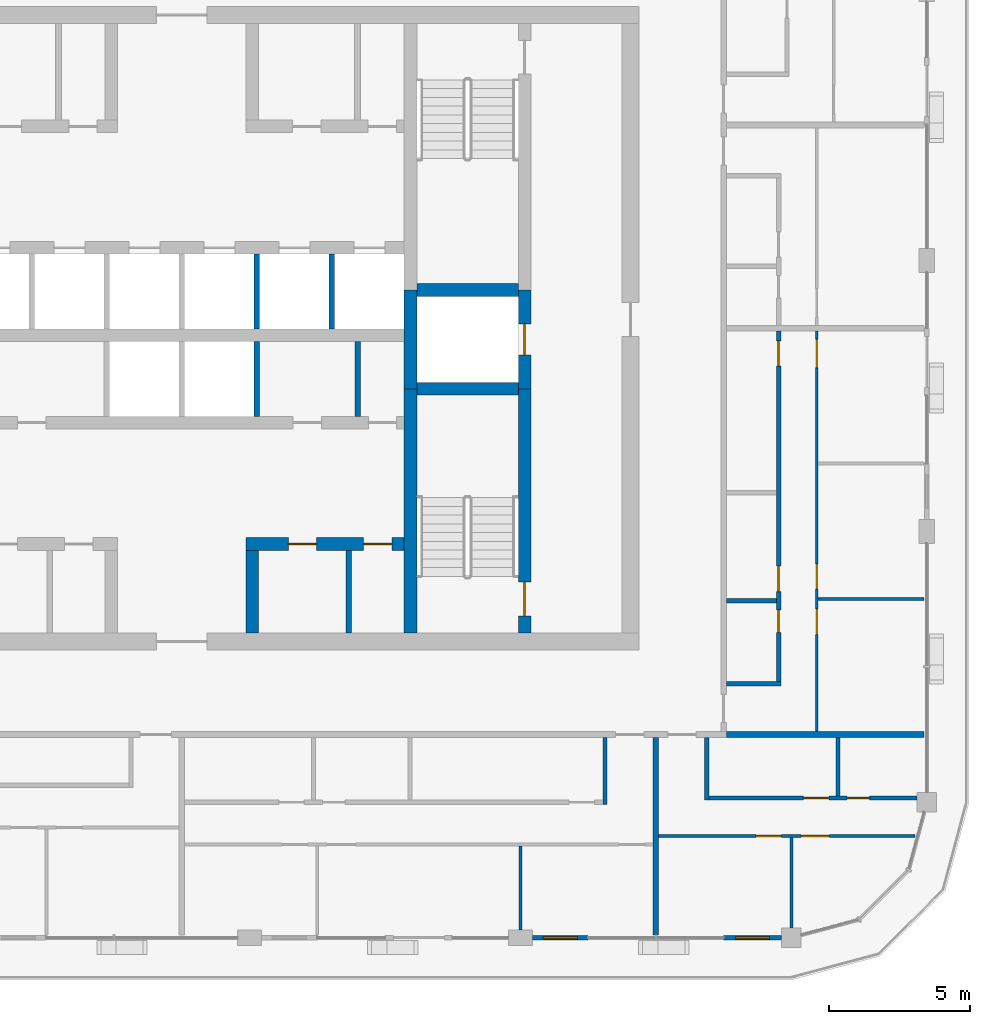
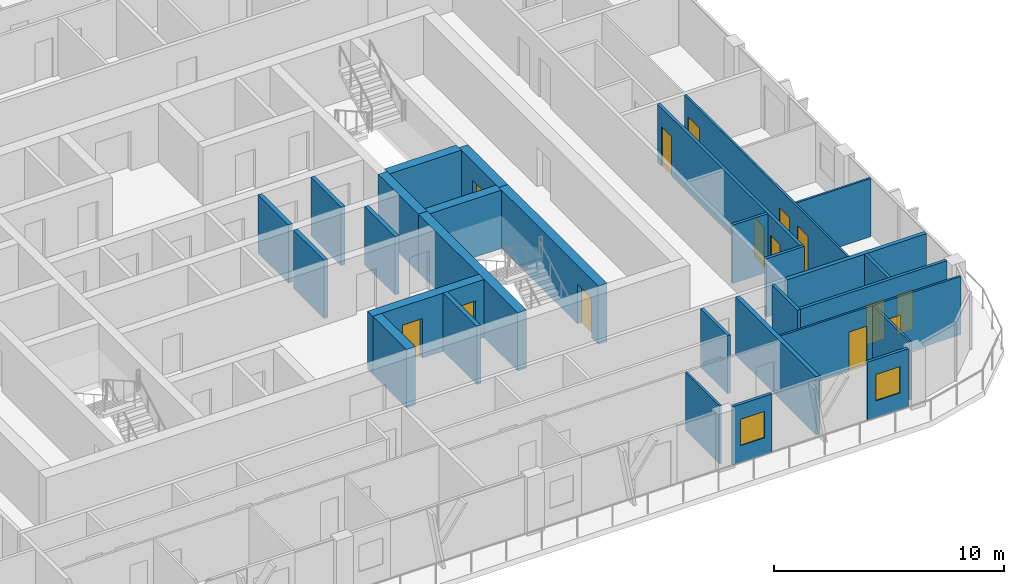
# One storey, part 12 of 22: 29 walls, 14 doors, 2 windows, 16 openings.
"""IFC4 building model written with IfcOpenShell, lengths in metres."""

from ifc_helpers import new_model, si_unit, direction, frame, frame_2d, origin, place, context, subcontext, project, spatial, rectangle, extrude, material, layer, layer_set, type_object, element, fill, save


model = new_model("IFC4")

# Units and contexts
model_context = context("Model", 3, precision=1e-05, world=origin(), true_north=direction((0.0, 1.0)))
body_context = subcontext(model_context, "Body", "Model", "MODEL_VIEW")
ifc_project = project(units=[si_unit("LENGTHUNIT", "METRE"), si_unit("AREAUNIT", "SQUARE_METRE"), si_unit("VOLUMEUNIT", "CUBIC_METRE"), si_unit("PLANEANGLEUNIT", "RADIAN"), si_unit("MASSUNIT", "GRAM", prefix="KILO")], contexts=[model_context])

# Site, building, storey
site_placement = place(None, origin())
site = spatial("IfcSite", under=ifc_project, at=site_placement, CompositionType="ELEMENT")
building_placement = place(site_placement, origin())
building = spatial("IfcBuilding", under=site, at=building_placement, Name="Madar Terraces", CompositionType="ELEMENT")
storey_placement = place(building_placement, frame((0.0, 0.0, 259.699951171875)))
storey = spatial("IfcBuildingStorey", under=building, at=storey_placement, Name="L68", CompositionType="ELEMENT", Elevation=259.699951171875)

# Walls
ifc_material_1 = material(Name="Concrete C55/67", Category="concrete")
ifc_layer_1 = layer(ifc_material_1, 0.449951171875)
ifc_layer_set_1 = layer_set([ifc_layer_1], Name="Concrete C55/67 (CIW5 RC wall 450)")
wall_type_1 = type_object("IfcWallType", Name="CIW5 RC wall 450", PredefinedType="SHEAR", material=ifc_layer_set_1)
wall_1_placement = place(storey_placement, frame((39.300048828125, 15.60009765625, 0.0), z_axis=(0.0, 0.0, 1.0), x_axis=(0.0, 1.0, 0.0)))
element("IfcWall", 1, at=wall_1_placement, inside=storey, type_object=wall_type_1, Name="CORE SHAFT WALL", PredefinedType="SHEAR", context=body_context, shape_type="SweptSolid", body=[
    extrude(rectangle(XDim=8.64990234375, YDim=0.449951171875, at=frame_2d((4.324951171875, 0.0))), origin(), (0.0, 0.0, 1.0), 3.10009765625),
])
wall_2_placement = place(storey_placement, frame((39.300048828125, 24.25, 0.0), z_axis=(0.0, 0.0, 1.0), x_axis=(0.0, 1.0, 0.0)))
element("IfcWall", 2, at=wall_2_placement, inside=storey, type_object=wall_type_1, Name="CORE SHAFT WALL", PredefinedType="SHEAR", context=body_context, shape_type="SweptSolid", body=[
    extrude(rectangle(XDim=3.5, YDim=0.449951171875, at=frame_2d((1.75, 0.0))), origin(), (0.0, 0.0, 1.0), 3.10009765625),
])

# Wall, opening, door
wall_3_placement = place(storey_placement, frame((43.35009765625, 15.60009765625, 0.0), z_axis=(0.0, 0.0, 1.0), x_axis=(0.0, 1.0, 0.0)))
wall_3 = element("IfcWall", 3, at=wall_3_placement, inside=storey, type_object=wall_type_1, Name="CORE SHAFT WALL", PredefinedType="SHEAR", context=body_context, shape_type="SweptSolid", body=[
    extrude(rectangle(XDim=8.64990234375, YDim=0.449951171875, at=frame_2d((4.324951171875, 0.0))), origin(), (0.0, 0.0, 1.0), 3.10009765625),
])
opening_1_placement = place(wall_3_placement, frame((0.60009765625, 0.0, 0.0)))
opening_1 = element("IfcOpeningElement", 4, at=opening_1_placement, cuts=wall_3, Name="Opening SD1", PredefinedType="OPENING", context=body_context, shape_type="SweptSolid", body=[
    extrude(rectangle(XDim=1.199951171875, YDim=2.10009765625, at=frame_2d((0.60009765625, 1.050048828125))), frame((0.0, 0.23486328125, 0.0), z_axis=(0.0, -1.0, 0.0), x_axis=(1.0, 0.0, 0.0)), (0.0, 0.0, 1.0), 0.469970703125),
])
ifc_material_2 = material(Name="Steel door leaf", Category="steel")
door_type_1 = type_object("IfcDoorType", Name="Stair door 1200 x 2100", OperationType="NOTDEFINED", PredefinedType="DOOR", material=ifc_material_2)
door_1_placement = place(opening_1_placement, origin())
door_1 = element("IfcDoor", 5, at=door_1_placement, inside=storey, type_object=door_type_1, Name="STAIR DOOR", OperationType="SINGLE_SWING_LEFT", OverallHeight=2.10009765625, OverallWidth=1.199951171875, PredefinedType="DOOR", context=body_context, shape_type="SweptSolid", body=[
    extrude(rectangle(XDim=1.199951171875, YDim=2.10009765625, at=frame_2d((0.60009765625, 1.050048828125))), frame((0.0, 0.02490234375, 0.0), z_axis=(0.0, -1.0, 0.0), x_axis=(1.0, 0.0, 0.0)), (0.0, 0.0, 1.0), 0.050048828125),
])
fill(opening_1, door_1)

wall_4_placement = place(storey_placement, frame((43.35009765625, 24.25, 0.0), z_axis=(0.0, 0.0, 1.0), x_axis=(0.0, 1.0, 0.0)))
wall_4 = element("IfcWall", 6, at=wall_4_placement, inside=storey, type_object=wall_type_1, Name="CORE SHAFT WALL", PredefinedType="SHEAR", context=body_context, shape_type="SweptSolid", body=[
    extrude(rectangle(XDim=3.5, YDim=0.449951171875, at=frame_2d((1.75, 0.0))), origin(), (0.0, 0.0, 1.0), 3.10009765625),
])
opening_2_placement = place(wall_4_placement, frame((1.199951171875, 0.0, 0.0)))
opening_2 = element("IfcOpeningElement", 7, at=opening_2_placement, cuts=wall_4, Name="Opening LD", PredefinedType="OPENING", context=body_context, shape_type="SweptSolid", body=[
    extrude(rectangle(XDim=1.10009765625, YDim=2.10009765625, at=frame_2d((0.550048828125, 1.050048828125))), frame((0.0, 0.23486328125, 0.0), z_axis=(0.0, -1.0, 0.0), x_axis=(1.0, 0.0, 0.0)), (0.0, 0.0, 1.0), 0.469970703125),
])
ifc_material_3 = material(Name="Stainless steel panel", Category="steel")
door_type_2 = type_object("IfcDoorType", Name="Lift landing door 1100 x 2100", OperationType="DOUBLE_DOOR_SLIDING", PredefinedType="DOOR", material=ifc_material_3)
door_2_placement = place(opening_2_placement, origin())
door_2 = element("IfcDoor", 8, at=door_2_placement, inside=storey, type_object=door_type_2, Name="LIFT LANDING DOOR", OperationType="DOUBLE_DOOR_SLIDING", OverallHeight=2.10009765625, OverallWidth=1.10009765625, PredefinedType="DOOR", context=body_context, shape_type="SweptSolid", body=[
    extrude(rectangle(XDim=1.10009765625, YDim=2.10009765625, at=frame_2d((0.550048828125, 1.050048828125))), frame((0.0, 0.02490234375, 0.0), z_axis=(0.0, -1.0, 0.0), x_axis=(1.0, 0.0, 0.0)), (0.0, 0.0, 1.0), 0.050048828125),
])
fill(opening_2, door_2)

# Walls
for number, where, z_axis, x_axis, name in (
    (9, (39.52490234375, 24.25, 0.0), (0.0, 0.0, 1.0), (1.0, 0.0, 0.0), "CORE SHAFT WALL"),
    (10, (39.52490234375, 27.75, 0.0), (0.0, 0.0, 1.0), (1.0, 0.0, 0.0), "CORE SHAFT WALL"),
):
    element("IfcWall", number, at=place(storey_placement, frame(where, z_axis=z_axis, x_axis=x_axis)), inside=storey, type_object=wall_type_1, Name=name, PredefinedType="SHEAR", context=body_context, shape_type="SweptSolid", body=[
        extrude(rectangle(XDim=3.60009765625, YDim=0.449951171875, at=frame_2d((1.800048828125, 0.0))), origin(), (0.0, 0.0, 1.0), 3.10009765625),
    ])

# Wall, openings, doors
wall_5_placement = place(storey_placement, frame((33.47509765625, 18.75, 0.0), z_axis=(0.0, 0.0, 1.0), x_axis=(1.0, 0.0, 0.0)))
wall_5 = element("IfcWall", 11, at=wall_5_placement, inside=storey, type_object=wall_type_1, Name="CORE SHAFT WALL", PredefinedType="SHEAR", context=body_context, shape_type="SweptSolid", body=[
    extrude(rectangle(XDim=5.599853515625, YDim=0.449951171875, at=frame_2d((2.7998046875, 0.0))), origin(), (0.0, 0.0, 1.0), 3.10009765625),
])
opening_3_placement = place(wall_5_placement, frame((1.49658203125, 0.0, 0.0)))
opening_3 = element("IfcOpeningElement", 12, at=opening_3_placement, cuts=wall_5, Name="Opening KD2", PredefinedType="OPENING", context=body_context, shape_type="SweptSolid", body=[
    extrude(rectangle(XDim=1.0, YDim=2.10009765625, at=frame_2d((0.5, 1.050048828125))), frame((0.0, 0.23486328125, 0.0), z_axis=(0.0, -1.0, 0.0), x_axis=(1.0, 0.0, 0.0)), (0.0, 0.0, 1.0), 0.469970703125),
])
opening_4_placement = place(wall_5_placement, frame((4.17138671875, 0.0, 0.0)))
opening_4 = element("IfcOpeningElement", 13, at=opening_4_placement, cuts=wall_5, Name="Opening KD2", PredefinedType="OPENING", context=body_context, shape_type="SweptSolid", body=[
    extrude(rectangle(XDim=1.0, YDim=2.10009765625, at=frame_2d((0.5, 1.050048828125))), frame((0.0, 0.23486328125, 0.0), z_axis=(0.0, -1.0, 0.0), x_axis=(1.0, 0.0, 0.0)), (0.0, 0.0, 1.0), 0.469970703125),
])
ifc_material_4 = material(Name="Steel door leaf", Category="steel")
door_type_3 = type_object("IfcDoorType", Name="Service room door 1000 x 2100", OperationType="NOTDEFINED", PredefinedType="DOOR", material=ifc_material_4)
door_3_placement = place(opening_3_placement, origin())
door_3 = element("IfcDoor", 14, at=door_3_placement, inside=storey, type_object=door_type_3, Name="SERVICE ROOM DOOR", OperationType="SINGLE_SWING_RIGHT", OverallHeight=2.10009765625, OverallWidth=1.0, PredefinedType="DOOR", context=body_context, shape_type="SweptSolid", body=[
    extrude(rectangle(XDim=1.0, YDim=2.10009765625, at=frame_2d((0.5, 1.050048828125))), frame((0.0, 0.02490234375, 0.0), z_axis=(0.0, -1.0, 0.0), x_axis=(1.0, 0.0, 0.0)), (0.0, 0.0, 1.0), 0.050048828125),
])
fill(opening_3, door_3)
door_4_placement = place(opening_4_placement, origin())
door_4 = element("IfcDoor", 15, at=door_4_placement, inside=storey, type_object=door_type_3, Name="SERVICE ROOM DOOR", OperationType="SINGLE_SWING_LEFT", OverallHeight=2.10009765625, OverallWidth=1.0, PredefinedType="DOOR", context=body_context, shape_type="SweptSolid", body=[
    extrude(rectangle(XDim=1.0, YDim=2.10009765625, at=frame_2d((0.5, 1.050048828125))), frame((0.0, 0.02490234375, 0.0), z_axis=(0.0, -1.0, 0.0), x_axis=(1.0, 0.0, 0.0)), (0.0, 0.0, 1.0), 0.050048828125),
])
fill(opening_4, door_4)

# Walls
wall_6_placement = place(storey_placement, frame((33.699951171875, 15.60009765625, 0.0), z_axis=(0.0, 0.0, 1.0), x_axis=(0.0, 1.0, 0.0)))
element("IfcWall", 16, at=wall_6_placement, inside=storey, type_object=wall_type_1, Name="CORE SHAFT WALL", PredefinedType="SHEAR", context=body_context, shape_type="SweptSolid", body=[
    extrude(rectangle(XDim=2.9248046875, YDim=0.449951171875, at=frame_2d((1.46240234375, 0.0))), origin(), (0.0, 0.0, 1.0), 3.10009765625),
])
ifc_material_5 = material(Name="Masonry blockwork", Category="masonry")
ifc_layer_2 = layer(ifc_material_5, 0.199951171875)
ifc_layer_set_2 = layer_set([ifc_layer_2], Name="Core partition 200 blockwork")
wall_type_2 = type_object("IfcWallType", Name="Core partition 200 blockwork", PredefinedType="PARTITIONING", material=ifc_layer_set_2)
wall_7_placement = place(storey_placement, frame((37.437744140625, 23.27490234375, 0.0), z_axis=(0.0, 0.0, 1.0), x_axis=(0.0, 1.0, 0.0)))
element("IfcWall", 17, at=wall_7_placement, inside=storey, type_object=wall_type_2, Name="SERVICE ROOM PARTITION", PredefinedType="PARTITIONING", context=body_context, shape_type="SweptSolid", body=[
    extrude(rectangle(XDim=2.650146484375, YDim=0.199951171875, at=frame_2d((1.3251953125, 0.0))), origin(), (0.0, 0.0, 1.0), 3.10009765625),
])
wall_8_placement = place(storey_placement, frame((37.117919921875, 15.60009765625, 0.0), z_axis=(0.0, 0.0, 1.0), x_axis=(0.0, 1.0, 0.0)))
element("IfcWall", 18, at=wall_8_placement, inside=storey, type_object=wall_type_2, Name="SERVICE ROOM PARTITION", PredefinedType="PARTITIONING", context=body_context, shape_type="SweptSolid", body=[
    extrude(rectangle(XDim=2.9248046875, YDim=0.199951171875, at=frame_2d((1.46240234375, 0.0))), origin(), (0.0, 0.0, 1.0), 3.10009765625),
])
ifc_material_6 = material(Name="Concrete C40/50", Category="concrete")
ifc_layer_3 = layer(ifc_material_6, 0.199951171875)
ifc_layer_set_3 = layer_set([ifc_layer_3], Name="Core shaft dividing wall 200 C40/50")
wall_type_3 = type_object("IfcWallType", Name="Core shaft dividing wall 200 C40/50", PredefinedType="SOLIDWALL", material=ifc_layer_set_3)
wall_9_placement = place(storey_placement, frame((33.8583984375, 23.27490234375, 0.0), z_axis=(0.0, 0.0, 1.0), x_axis=(0.0, 1.0, 0.0)))
element("IfcWall", 19, at=wall_9_placement, inside=storey, type_object=wall_type_3, Name="SHAFT DIVIDING WALL", PredefinedType="SOLIDWALL", context=body_context, shape_type="SweptSolid", body=[
    extrude(rectangle(XDim=2.650146484375, YDim=0.199951171875, at=frame_2d((1.3251953125, 0.0))), origin(), (0.0, 0.0, 1.0), 3.10009765625),
])
for number, where, z_axis, x_axis, name in (
    (20, (33.8583984375, 26.375, 0.0), (0.0, 0.0, 1.0), (0.0, 1.0, 0.0), "SHAFT DIVIDING WALL"),
    (21, (36.5166015625, 26.375, 0.0), (0.0, 0.0, 1.0), (0.0, 1.0, 0.0), "SHAFT DIVIDING WALL"),
):
    element("IfcWall", number, at=place(storey_placement, frame(where, z_axis=z_axis, x_axis=x_axis)), inside=storey, type_object=wall_type_3, Name=name, PredefinedType="SOLIDWALL", context=body_context, shape_type="SweptSolid", body=[
        extrude(rectangle(XDim=2.64990234375, YDim=0.199951171875, at=frame_2d((1.324951171875, 0.0))), origin(), (0.0, 0.0, 1.0), 3.10009765625),
    ])

# Wall, opening, window
ifc_material_7 = material(Name="Aluminium composite panel, black, over insulated backing", Category="aluminium")
ifc_layer_4 = layer(ifc_material_7, 0.14990234375)
ifc_layer_set_4 = layer_set([ifc_layer_4], Name="Facade bay panel 150")
wall_type_4 = type_object("IfcWallType", Name="Facade bay panel 150", PredefinedType="SOLIDWALL", material=ifc_layer_set_4)
wall_10_placement = place(storey_placement, frame((43.625, 4.800048828125, 0.0), z_axis=(0.0, 0.0, 1.0), x_axis=(1.0, 0.0, 0.0)))
wall_10 = element("IfcWall", 22, at=wall_10_placement, inside=storey, type_object=wall_type_4, Name="Facade bay panel", PredefinedType="SOLIDWALL", context=body_context, shape_type="SweptSolid", body=[
    extrude(rectangle(XDim=1.97509765625, YDim=0.14990234375, at=frame_2d((0.987548828125, 0.0))), origin(), (0.0, 0.0, 1.0), 3.10009765625),
])
opening_5_placement = place(wall_10_placement, frame((0.387451171875, 0.0, 0.89990234375)))
opening_5 = element("IfcOpeningElement", 23, at=opening_5_placement, cuts=wall_10, Name="Opening W1", PredefinedType="OPENING", context=body_context, shape_type="SweptSolid", body=[
    extrude(rectangle(XDim=1.199951171875, YDim=1.39990234375, at=frame_2d((0.60009765625, 0.699951171875))), frame((0.0, 0.0849609375, 0.0), z_axis=(0.0, -1.0, 0.0), x_axis=(1.0, 0.0, 0.0)), (0.0, 0.0, 1.0), 0.169921875),
])
ifc_material_8 = material(Name="Glass, clear, with black aluminium frame", Category="aluminium")
window_type = type_object("IfcWindowType", Name="Vent window 1200 x 1400", PartitioningType="SINGLE_PANEL", PredefinedType="WINDOW", material=ifc_material_8)
window_1_placement = place(opening_5_placement, origin())
window_1 = element("IfcWindow", 24, at=window_1_placement, inside=storey, type_object=window_type, Name="Operable vent window", OverallHeight=1.39990234375, OverallWidth=1.199951171875, PartitioningType="SINGLE_PANEL", PredefinedType="WINDOW", context=body_context, shape_type="SweptSolid", body=[
    extrude(rectangle(XDim=1.199951171875, YDim=1.39990234375, at=frame_2d((0.60009765625, 0.699951171875))), frame((0.0, 0.030029296875, 0.0), z_axis=(0.0, -1.0, 0.0), x_axis=(1.0, 0.0, 0.0)), (0.0, 0.0, 1.0), 0.06005859375),
])
fill(opening_5, window_1)

wall_11_placement = place(storey_placement, frame((50.39990234375, 4.800048828125, 0.0), z_axis=(0.0, 0.0, 1.0), x_axis=(1.0, 0.0, 0.0)))
wall_11 = element("IfcWall", 25, at=wall_11_placement, inside=storey, type_object=wall_type_4, Name="Facade bay panel", PredefinedType="SOLIDWALL", context=body_context, shape_type="SweptSolid", body=[
    extrude(rectangle(XDim=2.050048828125, YDim=0.14990234375, at=frame_2d((1.02490234375, 0.0))), origin(), (0.0, 0.0, 1.0), 3.10009765625),
])
opening_6_placement = place(wall_11_placement, frame((0.425048828125, 0.0, 0.89990234375)))
opening_6 = element("IfcOpeningElement", 26, at=opening_6_placement, cuts=wall_11, Name="Opening W1", PredefinedType="OPENING", context=body_context, shape_type="SweptSolid", body=[
    extrude(rectangle(XDim=1.199951171875, YDim=1.39990234375, at=frame_2d((0.60009765625, 0.699951171875))), frame((0.0, 0.0849609375, 0.0), z_axis=(0.0, -1.0, 0.0), x_axis=(1.0, 0.0, 0.0)), (0.0, 0.0, 1.0), 0.169921875),
])
window_2_placement = place(opening_6_placement, origin())
window_2 = element("IfcWindow", 27, at=window_2_placement, inside=storey, type_object=window_type, Name="Operable vent window", OverallHeight=1.39990234375, OverallWidth=1.199951171875, PartitioningType="SINGLE_PANEL", PredefinedType="WINDOW", context=body_context, shape_type="SweptSolid", body=[
    extrude(rectangle(XDim=1.199951171875, YDim=1.39990234375, at=frame_2d((0.60009765625, 0.699951171875))), frame((0.0, 0.030029296875, 0.0), z_axis=(0.0, -1.0, 0.0), x_axis=(1.0, 0.0, 0.0)), (0.0, 0.0, 1.0), 0.06005859375),
])
fill(opening_6, window_2)

# Walls
ifc_material_9 = material(Name="Gypsum board on steel studs", Category="steel")
ifc_layer_5 = layer(ifc_material_9, 0.10009765625)
ifc_layer_set_5 = layer_set([ifc_layer_5], Name="Flat partition 100")
wall_type_5 = type_object("IfcWallType", Name="Flat partition 100", PredefinedType="PARTITIONING", material=ifc_layer_set_5)
wall_12_placement = place(storey_placement, frame((43.199951171875, 8.050048828125, 0.0), z_axis=(0.0, 0.0, 1.0), x_axis=(0.0, -1.0, 0.0)))
element("IfcWall", 28, at=wall_12_placement, inside=storey, type_object=wall_type_5, Name="Flat partition 100", PredefinedType="PARTITIONING", context=body_context, shape_type="SweptSolid", body=[
    extrude(rectangle(XDim=2.97509765625, YDim=0.10009765625, at=frame_2d((1.487548828125, 0.0))), origin(), (0.0, 0.0, 1.0), 3.10009765625),
])
wall_13_placement = place(storey_placement, frame((52.800048828125, 8.35009765625, 0.0), z_axis=(0.0, 0.0, 1.0), x_axis=(0.0, -1.0, 0.0)))
element("IfcWall", 29, at=wall_13_placement, inside=storey, type_object=wall_type_5, Name="Flat partition 100", PredefinedType="PARTITIONING", context=body_context, shape_type="SweptSolid", body=[
    extrude(rectangle(XDim=3.2001953125, YDim=0.10009765625, at=frame_2d((1.60009765625, 0.0))), origin(), (0.0, 0.0, 1.0), 3.10009765625),
])

# Wall, openings, doors
wall_14_placement = place(storey_placement, frame((57.178466796875, 8.39990234375, 0.0), z_axis=(0.0, 0.0, 1.0), x_axis=(-1.0, 0.0, 0.0)))
wall_14 = element("IfcWall", 30, at=wall_14_placement, inside=storey, type_object=wall_type_5, Name="Flat partition 100", PredefinedType="PARTITIONING", context=body_context, shape_type="SweptSolid", body=[
    extrude(rectangle(XDim=9.078369140625, YDim=0.10009765625, at=frame_2d((4.5390625, 0.0))), origin(), (0.0, 0.0, 1.0), 3.10009765625),
])
opening_7_placement = place(wall_14_placement, frame((4.728515625, 0.0, 0.0)))
opening_7 = element("IfcOpeningElement", 31, at=opening_7_placement, cuts=wall_14, Name="Opening D2", PredefinedType="OPENING", context=body_context, shape_type="SweptSolid", body=[
    extrude(rectangle(XDim=0.89990234375, YDim=2.10009765625, at=frame_2d((0.449951171875, 1.050048828125))), frame((0.0, 0.06005859375, 0.0), z_axis=(0.0, -1.0, 0.0), x_axis=(1.0, 0.0, 0.0)), (0.0, 0.0, 1.0), 0.1201171875),
])
opening_8_placement = place(wall_14_placement, frame((3.028564453125, 0.0, 0.0)))
opening_8 = element("IfcOpeningElement", 32, at=opening_8_placement, cuts=wall_14, Name="Opening D3", PredefinedType="OPENING", context=body_context, shape_type="SweptSolid", body=[
    extrude(rectangle(XDim=1.0, YDim=2.10009765625, at=frame_2d((0.5, 1.050048828125))), frame((0.0, 0.06005859375, 0.0), z_axis=(0.0, -1.0, 0.0), x_axis=(1.0, 0.0, 0.0)), (0.0, 0.0, 1.0), 0.1201171875),
])
ifc_material_10 = material(Name="Timber door leaf", Category="wood")
door_type_4 = type_object("IfcDoorType", Name="Flat living room door 1000", OperationType="NOTDEFINED", PredefinedType="DOOR", material=ifc_material_10)
door_5_placement = place(opening_8_placement, origin())
door_5 = element("IfcDoor", 33, at=door_5_placement, inside=storey, type_object=door_type_4, Name="Flat living room door 1000", OperationType="SINGLE_SWING_RIGHT", OverallHeight=2.10009765625, OverallWidth=1.0, PredefinedType="DOOR", context=body_context, shape_type="SweptSolid", body=[
    extrude(rectangle(XDim=1.0, YDim=2.10009765625, at=frame_2d((0.5, 1.050048828125))), frame((0.0, 0.02490234375, 0.0), z_axis=(0.0, -1.0, 0.0), x_axis=(1.0, 0.0, 0.0)), (0.0, 0.0, 1.0), 0.050048828125),
])
fill(opening_8, door_5)
ifc_material_11 = material(Name="Timber door leaf", Category="wood")
door_type_5 = type_object("IfcDoorType", Name="Flat room door 900", OperationType="NOTDEFINED", PredefinedType="DOOR", material=ifc_material_11)
door_6_placement = place(opening_7_placement, origin())
door_6 = element("IfcDoor", 34, at=door_6_placement, inside=storey, type_object=door_type_5, Name="Flat room door 900", OperationType="SINGLE_SWING_LEFT", OverallHeight=2.10009765625, OverallWidth=0.89990234375, PredefinedType="DOOR", context=body_context, shape_type="SweptSolid", body=[
    extrude(rectangle(XDim=0.89990234375, YDim=2.10009765625, at=frame_2d((0.449951171875, 1.050048828125))), frame((0.0, 0.02490234375, 0.0), z_axis=(0.0, -1.0, 0.0), x_axis=(1.0, 0.0, 0.0)), (0.0, 0.0, 1.0), 0.050048828125),
])
fill(opening_7, door_6)

# Wall
wall_15_placement = place(storey_placement, frame((53.75, 16.800048828125, 0.0), z_axis=(0.0, 0.0, 1.0), x_axis=(1.0, 0.0, 0.0)))
element("IfcWall", 35, at=wall_15_placement, inside=storey, type_object=wall_type_5, Name="Flat partition 100", PredefinedType="PARTITIONING", context=body_context, shape_type="SweptSolid", body=[
    extrude(rectangle(XDim=3.75, YDim=0.10009765625, at=frame_2d((1.875, 0.0))), origin(), (0.0, 0.0, 1.0), 3.10009765625),
])

# Wall, openings, doors
wall_16_placement = place(storey_placement, frame((53.699951171875, 26.300048828125, 0.0), z_axis=(0.0, 0.0, 1.0), x_axis=(0.0, -1.0, 0.0)))
wall_16 = element("IfcWall", 36, at=wall_16_placement, inside=storey, type_object=wall_type_5, Name="Flat partition 100", PredefinedType="PARTITIONING", context=body_context, shape_type="SweptSolid", body=[
    extrude(rectangle(XDim=14.199951171875, YDim=0.10009765625, at=frame_2d((7.10009765625, 0.0))), origin(), (0.0, 0.0, 1.0), 3.10009765625),
])
opening_9_placement = place(wall_16_placement, frame((9.85009765625, 0.0, 0.0)))
opening_9 = element("IfcOpeningElement", 37, at=opening_9_placement, cuts=wall_16, Name="Opening D2", PredefinedType="OPENING", context=body_context, shape_type="SweptSolid", body=[
    extrude(rectangle(XDim=0.89990234375, YDim=2.10009765625, at=frame_2d((0.449951171875, 1.050048828125))), frame((0.0, 0.06005859375, 0.0), z_axis=(0.0, -1.0, 0.0), x_axis=(1.0, 0.0, 0.0)), (0.0, 0.0, 1.0), 0.1201171875),
])
opening_10_placement = place(wall_16_placement, frame((8.25, 0.0, 0.0)))
opening_10 = element("IfcOpeningElement", 38, at=opening_10_placement, cuts=wall_16, Name="Opening D2", PredefinedType="OPENING", context=body_context, shape_type="SweptSolid", body=[
    extrude(rectangle(XDim=0.89990234375, YDim=2.10009765625, at=frame_2d((0.449951171875, 1.050048828125))), frame((0.0, 0.06005859375, 0.0), z_axis=(0.0, -1.0, 0.0), x_axis=(1.0, 0.0, 0.0)), (0.0, 0.0, 1.0), 0.1201171875),
])
opening_11_placement = place(wall_16_placement, frame((0.300048828125, 0.0, 0.0)))
opening_11 = element("IfcOpeningElement", 39, at=opening_11_placement, cuts=wall_16, Name="Opening D3", PredefinedType="OPENING", context=body_context, shape_type="SweptSolid", body=[
    extrude(rectangle(XDim=1.0, YDim=2.10009765625, at=frame_2d((0.5, 1.050048828125))), frame((0.0, 0.06005859375, 0.0), z_axis=(0.0, -1.0, 0.0), x_axis=(1.0, 0.0, 0.0)), (0.0, 0.0, 1.0), 0.1201171875),
])
door_7_placement = place(opening_11_placement, origin())
door_7 = element("IfcDoor", 40, at=door_7_placement, inside=storey, type_object=door_type_4, Name="Flat living room door 1000", OperationType="SINGLE_SWING_LEFT", OverallHeight=2.10009765625, OverallWidth=1.0, PredefinedType="DOOR", context=body_context, shape_type="SweptSolid", body=[
    extrude(rectangle(XDim=1.0, YDim=2.10009765625, at=frame_2d((0.5, 1.050048828125))), frame((0.0, 0.02490234375, 0.0), z_axis=(0.0, -1.0, 0.0), x_axis=(1.0, 0.0, 0.0)), (0.0, 0.0, 1.0), 0.050048828125),
])
fill(opening_11, door_7)
door_8_placement = place(opening_9_placement, origin())
door_8 = element("IfcDoor", 41, at=door_8_placement, inside=storey, type_object=door_type_5, Name="Flat room door 900", OperationType="SINGLE_SWING_LEFT", OverallHeight=2.10009765625, OverallWidth=0.89990234375, PredefinedType="DOOR", context=body_context, shape_type="SweptSolid", body=[
    extrude(rectangle(XDim=0.89990234375, YDim=2.10009765625, at=frame_2d((0.449951171875, 1.050048828125))), frame((0.0, 0.02490234375, 0.0), z_axis=(0.0, -1.0, 0.0), x_axis=(1.0, 0.0, 0.0)), (0.0, 0.0, 1.0), 0.050048828125),
])
fill(opening_9, door_8)
door_9_placement = place(opening_10_placement, origin())
door_9 = element("IfcDoor", 42, at=door_9_placement, inside=storey, type_object=door_type_5, Name="Flat room door 900", OperationType="SINGLE_SWING_RIGHT", OverallHeight=2.10009765625, OverallWidth=0.89990234375, PredefinedType="DOOR", context=body_context, shape_type="SweptSolid", body=[
    extrude(rectangle(XDim=0.89990234375, YDim=2.10009765625, at=frame_2d((0.449951171875, 1.050048828125))), frame((0.0, 0.02490234375, 0.0), z_axis=(0.0, -1.0, 0.0), x_axis=(1.0, 0.0, 0.0)), (0.0, 0.0, 1.0), 0.050048828125),
])
fill(opening_10, door_9)

# Walls
ifc_material_12 = material(Name="Lightweight blockwork", Category="masonry")
ifc_layer_6 = layer(ifc_material_12, 0.199951171875)
ifc_layer_set_6 = layer_set([ifc_layer_6], Name="Flat party and entrance wall 200")
wall_type_6 = type_object("IfcWallType", Name="Flat party and entrance wall 200", PredefinedType="PARTITIONING", material=ifc_layer_set_6)
for number, where, z_axis, x_axis, name in (
    (43, (48.0, 11.89990234375, 0.0), (0.0, 0.0, 1.0), (0.0, -1.0, 0.0), "Flat party and entrance wall 200"),
    (44, (50.5, 12.0, 0.0), (0.0, 0.0, 1.0), (1.0, 0.0, 0.0), "Flat party and entrance wall 200"),
):
    element("IfcWall", number, at=place(storey_placement, frame(where, z_axis=z_axis, x_axis=x_axis)), inside=storey, type_object=wall_type_6, Name=name, PredefinedType="PARTITIONING", context=body_context, shape_type="SweptSolid", body=[
        extrude(rectangle(XDim=7.0, YDim=0.199951171875, at=frame_2d((3.5, 0.0))), origin(), (0.0, 0.0, 1.0), 3.10009765625),
    ])
ifc_material_13 = material(Name="Lightweight blockwork", Category="masonry")
ifc_layer_7 = layer(ifc_material_13, 0.14990234375)
ifc_layer_set_7 = layer_set([ifc_layer_7], Name="Flat wet-room partition 150")
wall_type_7 = type_object("IfcWallType", Name="Flat wet-room partition 150", PredefinedType="PARTITIONING", material=ifc_layer_set_7)
wall_17_placement = place(storey_placement, frame((46.199951171875, 11.89990234375, 0.0), z_axis=(0.0, 0.0, 1.0), x_axis=(0.0, -1.0, 0.0)))
element("IfcWall", 45, at=wall_17_placement, inside=storey, type_object=wall_type_7, Name="Flat wet-room partition 150", PredefinedType="PARTITIONING", context=body_context, shape_type="SweptSolid", body=[
    extrude(rectangle(XDim=2.375, YDim=0.14990234375, at=frame_2d((1.1875, 0.0))), origin(), (0.0, 0.0, 1.0), 3.10009765625),
])
wall_18_placement = place(storey_placement, frame((54.449951171875, 11.89990234375, 0.0), z_axis=(0.0, 0.0, 1.0), x_axis=(0.0, -1.0, 0.0)))
element("IfcWall", 46, at=wall_18_placement, inside=storey, type_object=wall_type_7, Name="Flat wet-room partition 150", PredefinedType="PARTITIONING", context=body_context, shape_type="SweptSolid", body=[
    extrude(rectangle(XDim=2.074951171875, YDim=0.14990234375, at=frame_2d((1.03759765625, 0.0))), origin(), (0.0, 0.0, 1.0), 3.10009765625),
])
wall_19_placement = place(storey_placement, frame((49.800048828125, 11.89990234375, 0.0), z_axis=(0.0, 0.0, 1.0), x_axis=(0.0, -1.0, 0.0)))
element("IfcWall", 47, at=wall_19_placement, inside=storey, type_object=wall_type_7, Name="Flat wet-room partition 150", PredefinedType="PARTITIONING", context=body_context, shape_type="SweptSolid", body=[
    extrude(rectangle(XDim=2.224853515625, YDim=0.14990234375, at=frame_2d((1.1123046875, 0.0))), origin(), (0.0, 0.0, 1.0), 3.10009765625),
])

# Wall, openings, doors
wall_20_placement = place(storey_placement, frame((49.875, 9.75, 0.0), z_axis=(0.0, 0.0, 1.0), x_axis=(1.0, 0.0, 0.0)))
wall_20 = element("IfcWall", 48, at=wall_20_placement, inside=storey, type_object=wall_type_7, Name="Flat wet-room partition 150", PredefinedType="PARTITIONING", context=body_context, shape_type="SweptSolid", body=[
    extrude(rectangle(XDim=7.375, YDim=0.14990234375, at=frame_2d((3.6875, 0.0))), origin(), (0.0, 0.0, 1.0), 3.10009765625),
])
opening_12_placement = place(wall_20_placement, frame((3.35009765625, 0.0, 0.0)))
opening_12 = element("IfcOpeningElement", 49, at=opening_12_placement, cuts=wall_20, Name="Opening D2", PredefinedType="OPENING", context=body_context, shape_type="SweptSolid", body=[
    extrude(rectangle(XDim=0.89990234375, YDim=2.10009765625, at=frame_2d((0.449951171875, 1.050048828125))), frame((0.0, 0.0849609375, 0.0), z_axis=(0.0, -1.0, 0.0), x_axis=(1.0, 0.0, 0.0)), (0.0, 0.0, 1.0), 0.169921875),
])
opening_13_placement = place(wall_20_placement, frame((4.89990234375, 0.0, 0.0)))
opening_13 = element("IfcOpeningElement", 50, at=opening_13_placement, cuts=wall_20, Name="Opening D4", PredefinedType="OPENING", context=body_context, shape_type="SweptSolid", body=[
    extrude(rectangle(XDim=0.800048828125, YDim=2.10009765625, at=frame_2d((0.39990234375, 1.050048828125))), frame((0.0, 0.0849609375, 0.0), z_axis=(0.0, -1.0, 0.0), x_axis=(1.0, 0.0, 0.0)), (0.0, 0.0, 1.0), 0.169921875),
])
ifc_material_14 = material(Name="Timber door leaf", Category="wood")
door_type_6 = type_object("IfcDoorType", Name="Flat bathroom door 800", OperationType="NOTDEFINED", PredefinedType="DOOR", material=ifc_material_14)
door_10_placement = place(opening_13_placement, origin())
door_10 = element("IfcDoor", 51, at=door_10_placement, inside=storey, type_object=door_type_6, Name="Flat bathroom door 800", OperationType="SINGLE_SWING_LEFT", OverallHeight=2.10009765625, OverallWidth=0.800048828125, PredefinedType="DOOR", context=body_context, shape_type="SweptSolid", body=[
    extrude(rectangle(XDim=0.800048828125, YDim=2.10009765625, at=frame_2d((0.39990234375, 1.050048828125))), frame((0.0, 0.02490234375, 0.0), z_axis=(0.0, -1.0, 0.0), x_axis=(1.0, 0.0, 0.0)), (0.0, 0.0, 1.0), 0.050048828125),
])
fill(opening_13, door_10)
door_11_placement = place(opening_12_placement, origin())
door_11 = element("IfcDoor", 52, at=door_11_placement, inside=storey, type_object=door_type_5, Name="Flat room door 900", OperationType="SINGLE_SWING_RIGHT", OverallHeight=2.10009765625, OverallWidth=0.89990234375, PredefinedType="DOOR", context=body_context, shape_type="SweptSolid", body=[
    extrude(rectangle(XDim=0.89990234375, YDim=2.10009765625, at=frame_2d((0.449951171875, 1.050048828125))), frame((0.0, 0.02490234375, 0.0), z_axis=(0.0, -1.0, 0.0), x_axis=(1.0, 0.0, 0.0)), (0.0, 0.0, 1.0), 0.050048828125),
])
fill(opening_12, door_11)

# Walls
wall_21_placement = place(storey_placement, frame((50.5, 16.7421875, 0.0), z_axis=(0.0, 0.0, 1.0), x_axis=(1.0, 0.0, 0.0)))
element("IfcWall", 53, at=wall_21_placement, inside=storey, type_object=wall_type_7, Name="Flat wet-room partition 150", PredefinedType="PARTITIONING", context=body_context, shape_type="SweptSolid", body=[
    extrude(rectangle(XDim=1.77490234375, YDim=0.14990234375, at=frame_2d((0.887451171875, 0.0))), origin(), (0.0, 0.0, 1.0), 3.10009765625),
])
wall_22_placement = place(storey_placement, frame((50.5, 13.800048828125, 0.0), z_axis=(0.0, 0.0, 1.0), x_axis=(1.0, 0.0, 0.0)))
element("IfcWall", 54, at=wall_22_placement, inside=storey, type_object=wall_type_7, Name="Flat wet-room partition 150", PredefinedType="PARTITIONING", context=body_context, shape_type="SweptSolid", body=[
    extrude(rectangle(XDim=1.925048828125, YDim=0.14990234375, at=frame_2d((0.96240234375, 0.0))), origin(), (0.0, 0.0, 1.0), 3.10009765625),
])

# Wall, openings, doors
wall_23_placement = place(storey_placement, frame((52.35009765625, 13.875, 0.0), z_axis=(0.0, 0.0, 1.0), x_axis=(0.0, 1.0, 0.0)))
wall_23 = element("IfcWall", 55, at=wall_23_placement, inside=storey, type_object=wall_type_7, Name="Flat wet-room partition 150", PredefinedType="PARTITIONING", context=body_context, shape_type="SweptSolid", body=[
    extrude(rectangle(XDim=12.425048828125, YDim=0.14990234375, at=frame_2d((6.21240234375, 0.0))), origin(), (0.0, 0.0, 1.0), 3.10009765625),
])
opening_14_placement = place(wall_23_placement, frame((1.7421875, 0.0, 0.0)))
opening_14 = element("IfcOpeningElement", 56, at=opening_14_placement, cuts=wall_23, Name="Opening D4", PredefinedType="OPENING", context=body_context, shape_type="SweptSolid", body=[
    extrude(rectangle(XDim=0.800048828125, YDim=2.10009765625, at=frame_2d((0.39990234375, 1.050048828125))), frame((0.0, 0.0849609375, 0.0), z_axis=(0.0, -1.0, 0.0), x_axis=(1.0, 0.0, 0.0)), (0.0, 0.0, 1.0), 0.169921875),
])
opening_15_placement = place(wall_23_placement, frame((3.1923828125, 0.0, 0.0)))
opening_15 = element("IfcOpeningElement", 57, at=opening_15_placement, cuts=wall_23, Name="Opening D5", PredefinedType="OPENING", context=body_context, shape_type="SweptSolid", body=[
    extrude(rectangle(XDim=0.89990234375, YDim=2.10009765625, at=frame_2d((0.449951171875, 1.050048828125))), frame((0.0, 0.0849609375, 0.0), z_axis=(0.0, -1.0, 0.0), x_axis=(1.0, 0.0, 0.0)), (0.0, 0.0, 1.0), 0.169921875),
])
opening_16_placement = place(wall_23_placement, frame((11.175048828125, 0.0, 0.0)))
opening_16 = element("IfcOpeningElement", 58, at=opening_16_placement, cuts=wall_23, Name="Opening D2", PredefinedType="OPENING", context=body_context, shape_type="SweptSolid", body=[
    extrude(rectangle(XDim=0.89990234375, YDim=2.10009765625, at=frame_2d((0.449951171875, 1.050048828125))), frame((0.0, 0.0849609375, 0.0), z_axis=(0.0, -1.0, 0.0), x_axis=(1.0, 0.0, 0.0)), (0.0, 0.0, 1.0), 0.169921875),
])
ifc_material_15 = material(Name="Timber door leaf", Category="wood")
door_type_7 = type_object("IfcDoorType", Name="Flat accessible bathroom door 900", OperationType="NOTDEFINED", PredefinedType="DOOR", material=ifc_material_15)
door_12_placement = place(opening_15_placement, origin())
door_12 = element("IfcDoor", 59, at=door_12_placement, inside=storey, type_object=door_type_7, Name="Flat accessible bathroom door 900", OperationType="SINGLE_SWING_LEFT", OverallHeight=2.10009765625, OverallWidth=0.89990234375, PredefinedType="DOOR", context=body_context, shape_type="SweptSolid", body=[
    extrude(rectangle(XDim=0.89990234375, YDim=2.10009765625, at=frame_2d((0.449951171875, 1.050048828125))), frame((0.0, 0.02490234375, 0.0), z_axis=(0.0, -1.0, 0.0), x_axis=(1.0, 0.0, 0.0)), (0.0, 0.0, 1.0), 0.050048828125),
])
fill(opening_15, door_12)
door_13_placement = place(opening_14_placement, origin())
door_13 = element("IfcDoor", 60, at=door_13_placement, inside=storey, type_object=door_type_6, Name="Flat bathroom door 800", OperationType="SINGLE_SWING_RIGHT", OverallHeight=2.10009765625, OverallWidth=0.800048828125, PredefinedType="DOOR", context=body_context, shape_type="SweptSolid", body=[
    extrude(rectangle(XDim=0.800048828125, YDim=2.10009765625, at=frame_2d((0.39990234375, 1.050048828125))), frame((0.0, 0.02490234375, 0.0), z_axis=(0.0, -1.0, 0.0), x_axis=(1.0, 0.0, 0.0)), (0.0, 0.0, 1.0), 0.050048828125),
])
fill(opening_14, door_13)
door_14_placement = place(opening_16_placement, origin())
door_14 = element("IfcDoor", 61, at=door_14_placement, inside=storey, type_object=door_type_5, Name="Flat room door 900", OperationType="SINGLE_SWING_RIGHT", OverallHeight=2.10009765625, OverallWidth=0.89990234375, PredefinedType="DOOR", context=body_context, shape_type="SweptSolid", body=[
    extrude(rectangle(XDim=0.89990234375, YDim=2.10009765625, at=frame_2d((0.449951171875, 1.050048828125))), frame((0.0, 0.02490234375, 0.0), z_axis=(0.0, -1.0, 0.0), x_axis=(1.0, 0.0, 0.0)), (0.0, 0.0, 1.0), 0.050048828125),
])
fill(opening_16, door_14)

save(model, "model.ifc")
